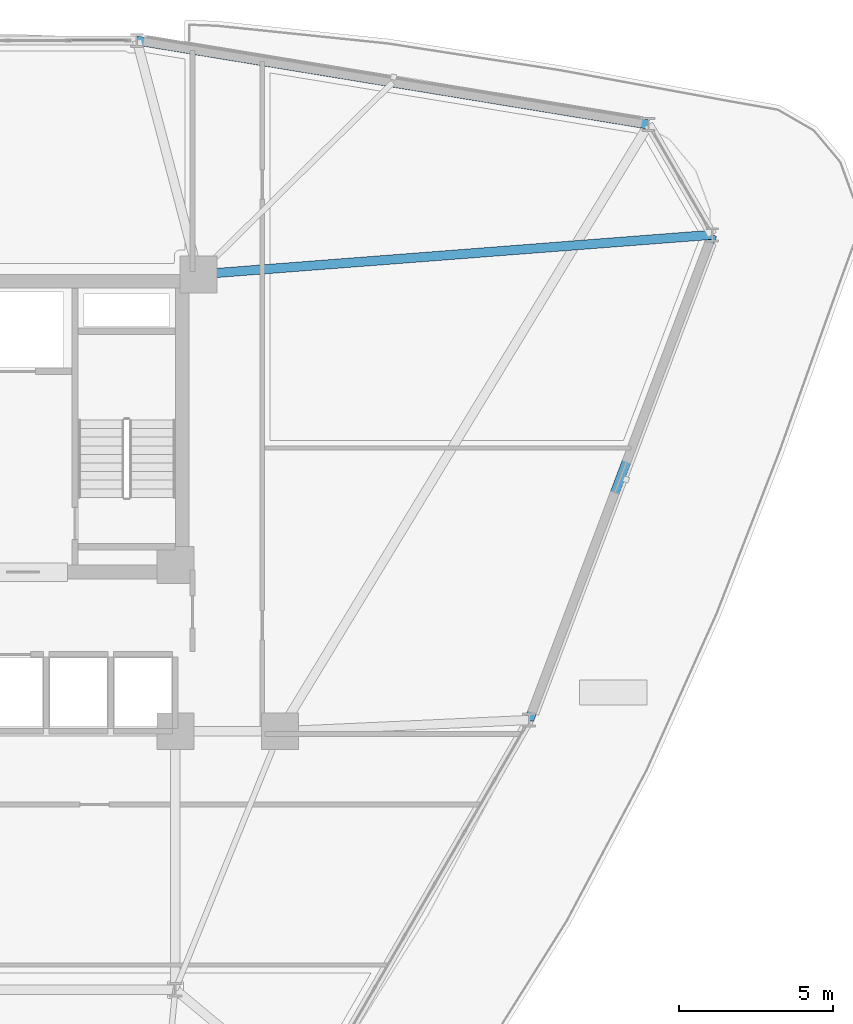
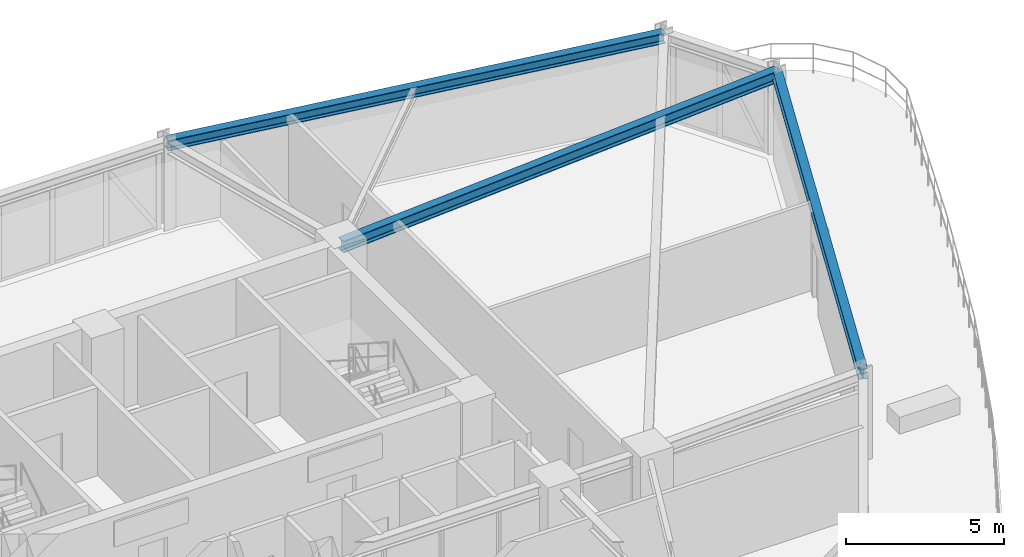
# One storey, part 14 of 23: 3 beams.
"""IFC4 building model written with IfcOpenShell, lengths in metres."""

from ifc_helpers import new_model, si_unit, derived_unit, direction, frame, origin, origin_2d, place, context, subcontext, project, spatial, i_section, extrude, source, transform, mapped, material, material_profile, profile_set, type_object, element, save


model = new_model("IFC4")

# Units and contexts
model_context = context("Model", 3, precision=1e-05, world=origin(), true_north=direction((0.0, 1.0)))
body_context = subcontext(model_context, "Body", "Model", "MODEL_VIEW")
ifc_project = project(units=[si_unit("LENGTHUNIT", "METRE"), si_unit("AREAUNIT", "SQUARE_METRE"), si_unit("VOLUMEUNIT", "CUBIC_METRE"), si_unit("PLANEANGLEUNIT", "RADIAN"), si_unit("MASSUNIT", "GRAM", prefix="KILO"), derived_unit("THERMALTRANSMITTANCEUNIT", [(si_unit("POWERUNIT", "WATT"), 1), (si_unit("LENGTHUNIT", "METRE"), -2), (si_unit("THERMODYNAMICTEMPERATUREUNIT", "KELVIN"), -1)])], contexts=[model_context])

# Site, building, storey
site_placement = place(None, origin())
site = spatial("IfcSite", under=ifc_project, at=site_placement, CompositionType="ELEMENT")
building_placement = place(site_placement, origin())
building = spatial("IfcBuilding", under=site, at=building_placement, Name="Korsvarv Bourse and Concert Hall", CompositionType="ELEMENT")
storey_placement = place(building_placement, frame((0.0, 0.0, 99.0)))
storey = spatial("IfcBuildingStorey", under=building, at=storey_placement, Name="L24", CompositionType="ELEMENT", Elevation=99.0)

# Beams
ifc_material = material(Name="Steel S355", Category="steel")
ifc_material_profile_1 = material_profile(ifc_material, i_section(OverallWidth=0.300048828125, OverallDepth=0.39990234375, WebThickness=0.013427734375, FlangeThickness=0.02392578125, FilletRadius=0.02099609375, at=origin_2d()), Name="HEB 400")
ifc_profile_set_1 = profile_set([ifc_material_profile_1], Name="Steel S355")
beam_type_1 = type_object("IfcBeamType", Name="BM-HEB400", PredefinedType="SPANDREL", material=ifc_profile_set_1)
shared_shape_1 = source(origin(), body_context, "Body", "SweptSolid", [
    extrude(i_section(OverallWidth=0.300048828125, OverallDepth=0.39990234375, WebThickness=0.013427734375, FlangeThickness=0.02392578125, FilletRadius=0.02099609375, at=origin_2d()), origin(), (0.0, 0.0, 1.0), 16.856201171875),
])
for number, where, z_axis, x_axis, name in (
    (1, (59.78271484375, 52.119384765625, 3.199951171875), (-0.986776405202, 0.162087402768, 0.0), (-0.162087402768, -0.986776405202, 0.0), "L24 beam B-09"),
    (2, (55.900634765625, 32.765869140625, 3.199951171875), (0.353024240889, 0.935614175472, 0.0), (-0.935614175472, 0.353024240889, 0.0), "L24 beam B-09"),
):
    element("IfcBeam", number, at=place(storey_placement, frame(where, z_axis=z_axis, x_axis=x_axis)), inside=storey, type_object=beam_type_1, Name=name, PredefinedType="SPANDREL", context=body_context, shape_type="MappedRepresentation", body=[
        mapped(shared_shape_1, transform((0.0, 0.0, 0.0), scale=1.0)),
    ])
ifc_material_profile_2 = material_profile(ifc_material, i_section(OverallWidth=0.300048828125, OverallDepth=0.449951171875, WebThickness=0.013916015625, FlangeThickness=0.02587890625, FilletRadius=0.02099609375, at=origin_2d()), Name="HEB 450")
ifc_profile_set_2 = profile_set([ifc_material_profile_2], Name="Steel S355")
beam_type_2 = type_object("IfcBeamType", Name="BM-HEB450", PredefinedType="SPANDREL", material=ifc_profile_set_2)
shared_shape_2 = source(origin(), body_context, "Body", "SweptSolid", [
    extrude(i_section(OverallWidth=0.300048828125, OverallDepth=0.449951171875, WebThickness=0.013916015625, FlangeThickness=0.02587890625, FilletRadius=0.02099609375, at=origin_2d()), origin(), (0.0, 0.0, 1.0), 16.7509765625),
])
beam_placement = place(storey_placement, frame((61.851318359375, 48.536865234375, 3.175048828125), z_axis=(-0.997044703744, -0.076823555869, 0.0), x_axis=(0.076823555869, -0.997044703744, 0.0)))
element("IfcBeam", 3, at=beam_placement, inside=storey, type_object=beam_type_2, Name="L24 beam B-08", PredefinedType="SPANDREL", context=body_context, shape_type="MappedRepresentation", body=[
    mapped(shared_shape_2, transform((0.0, 0.0, 0.0), scale=1.0)),
])

save(model, "model.ifc")
